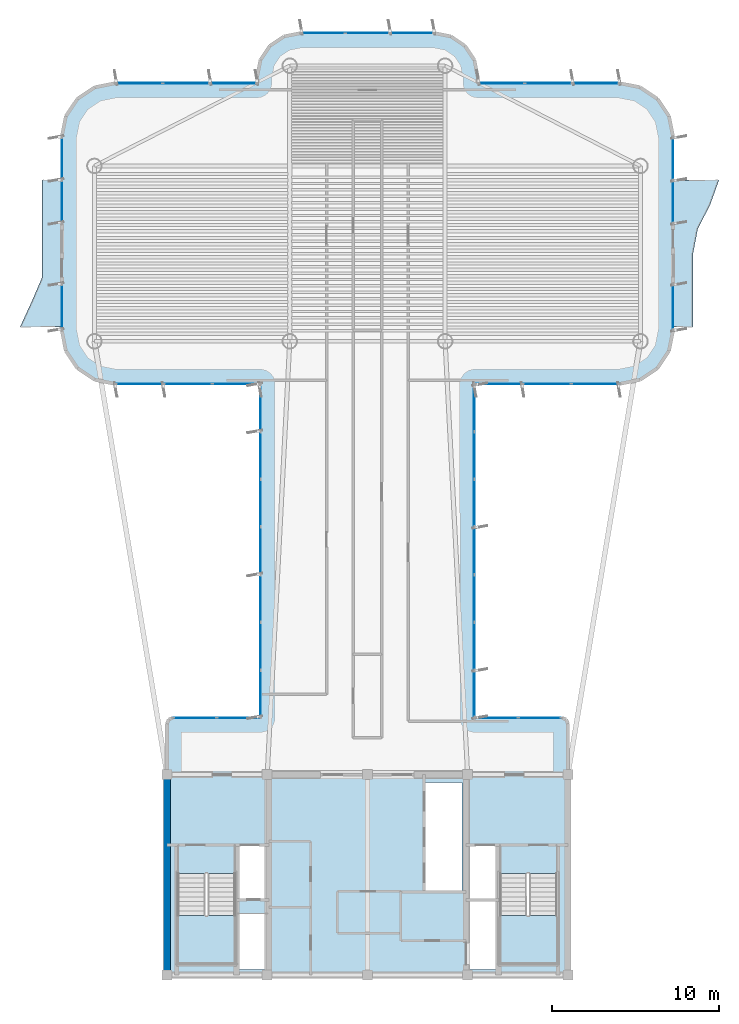
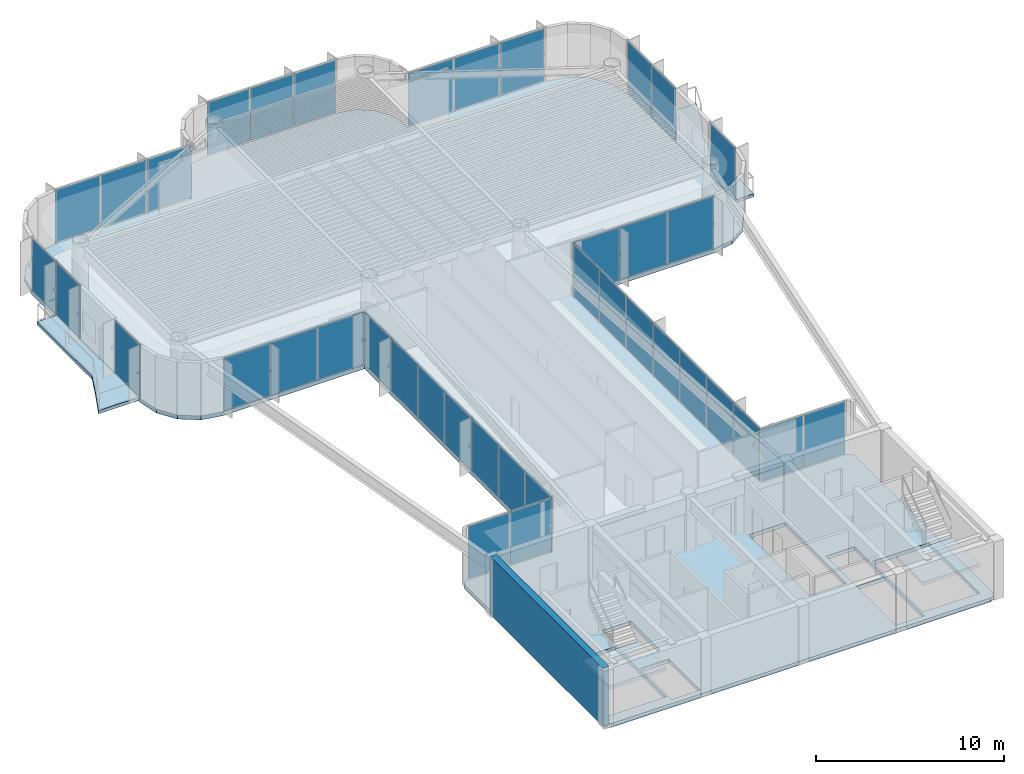
# One storey, part 9 of 14: 39 plates, 5 slabs, 1 wall, 15 elements without a shape of their own.
"""IFC4 building model written with IfcOpenShell, lengths in metres."""

from ifc_helpers import new_model, si_unit, direction, frame, frame_2d, origin, origin_2d, place, context, subcontext, project, spatial, polyline, rectangle, outline, extrude, source, transform, mapped, material, layer, layer_set, type_object, element, aggregate, save


model = new_model("IFC4")

# Units and contexts
model_context = context("Model", 3, precision=1e-05, world=origin(), true_north=direction((0.0, 1.0)))
body_context = subcontext(model_context, "Body", "Model", "MODEL_VIEW")
ifc_project = project(units=[si_unit("LENGTHUNIT", "METRE"), si_unit("AREAUNIT", "SQUARE_METRE"), si_unit("VOLUMEUNIT", "CUBIC_METRE"), si_unit("PLANEANGLEUNIT", "RADIAN"), si_unit("MASSUNIT", "GRAM", prefix="KILO")], contexts=[model_context])

# Site, building, storey
site_placement = place(None, origin())
site = spatial("IfcSite", under=ifc_project, at=site_placement, CompositionType="ELEMENT")
building_placement = place(site_placement, origin())
building = spatial("IfcBuilding", under=site, at=building_placement, Name="Brelvock Crest Care Tower", CompositionType="ELEMENT")
storey_placement = place(building_placement, frame((0.0, 0.0, 257.0400390625)))
storey = spatial("IfcBuildingStorey", under=building, at=storey_placement, Name="L65", CompositionType="ELEMENT", Elevation=257.0400390625)

# Slabs
ifc_material_1 = material(Name="Concrete N50 (50 MPa)", Category="concrete")
ifc_layer_1 = layer(ifc_material_1, 0.22998046875, Name="SLB-FL4")
ifc_layer_set_1 = layer_set([ifc_layer_1], Name="Concrete N50 (50 MPa)")
slab_type_1 = type_object("IfcSlabType", Name="SLB-FL4", PredefinedType="FLOOR", material=ifc_layer_set_1)
slab_1_placement = place(storey_placement, frame((0.0, 0.0, -0.25)))
element("IfcSlab", 1, at=slab_1_placement, inside=storey, type_object=slab_type_1, Name="L65 Main Structural Slab", PredefinedType="FLOOR", context=body_context, shape_type="SweptSolid", body=[
    extrude(outline(polyline([(47.64990234375, 21.39990234375), (42.39990234375, 21.39990234375), (42.39990234375, 41.39990234375), (51.10009765625, 41.39990234375), (52.32470703125, 41.6435546875), (53.36279296875, 42.33740234375), (54.056396484375, 43.37548828125), (54.300048828125, 44.60009765625), (54.300048828125, 56.199951171875), (54.056396484375, 57.424560546875), (53.36279296875, 58.462646484375), (52.32470703125, 59.156494140625), (51.10009765625, 59.39990234375), (42.60009765625, 59.39990234375), (42.60009765625, 59.800048828125), (42.402099609375, 60.794921875), (41.83837890625, 61.638427734375), (40.9951171875, 62.2021484375), (40.0, 62.39990234375), (32.0, 62.39990234375), (31.0048828125, 62.2021484375), (30.16162109375, 61.638427734375), (29.597900390625, 60.794921875), (29.39990234375, 59.800048828125), (29.39990234375, 59.39990234375), (20.89990234375, 59.39990234375), (19.67529296875, 59.156494140625), (18.63720703125, 58.462646484375), (17.943603515625, 57.424560546875), (17.699951171875, 56.199951171875), (17.699951171875, 44.60009765625), (17.943603515625, 43.37548828125), (18.63720703125, 42.33740234375), (19.67529296875, 41.6435546875), (20.89990234375, 41.39990234375), (29.60009765625, 41.39990234375), (29.60009765625, 21.39990234375), (24.35009765625, 21.39990234375), (24.1025390625, 21.297607421875), (24.0, 21.050048828125), (24.0, 6.35009765625), (24.1025390625, 6.1025390625), (24.35009765625, 6.0), (47.64990234375, 6.0), (47.8974609375, 6.1025390625), (48.0, 6.35009765625), (48.0, 21.050048828125), (47.8974609375, 21.297607421875), (47.64990234375, 21.39990234375)]), holes=[polyline([(28.239990234375, 10.580078125), (29.97998046875, 10.580078125), (29.97998046875, 13.739990234375), (28.239990234375, 13.739990234375), (28.239990234375, 10.580078125)]), polyline([(42.02001953125, 10.580078125), (43.760009765625, 10.580078125), (43.760009765625, 13.739990234375), (42.02001953125, 13.739990234375), (42.02001953125, 10.580078125)]), polyline([(28.239990234375, 6.340087890625), (29.97998046875, 6.340087890625), (29.97998046875, 9.64990234375), (28.239990234375, 9.64990234375), (28.239990234375, 6.340087890625)]), polyline([(24.6298828125, 12.080078125), (24.6298828125, 6.699951171875), (28.110107421875, 6.699951171875), (28.110107421875, 12.080078125), (24.6298828125, 12.080078125)]), polyline([(43.889892578125, 12.080078125), (43.889892578125, 6.699951171875), (47.3701171875, 6.699951171875), (47.3701171875, 12.080078125), (43.889892578125, 12.080078125)]), polyline([(42.02001953125, 6.340087890625), (43.760009765625, 6.340087890625), (43.760009765625, 10.5), (42.02001953125, 10.5), (42.02001953125, 6.340087890625)]), polyline([(39.429931640625, 11.030029296875), (41.669921875, 11.030029296875), (41.669921875, 17.52001953125), (39.429931640625, 17.52001953125), (39.429931640625, 11.030029296875)])]), origin(), (0.0, 0.0, 1.0), 0.25),
])
ifc_layer_2 = layer(ifc_material_1, 0.199951171875, Name="SLB-WB2")
ifc_layer_set_2 = layer_set([ifc_layer_2], Name="Concrete N50 (50 MPa)")
slab_type_2 = type_object("IfcSlabType", Name="SLB-WB2", PredefinedType="FLOOR", material=ifc_layer_set_2)
slab_2_placement = place(storey_placement, frame((0.0, 0.0, -0.199951171875)))
element("IfcSlab", 2, at=slab_2_placement, inside=storey, type_object=slab_type_2, Name="L65 W Sinusoidal Wave Balcony Slab", PredefinedType="FLOOR", context=body_context, shape_type="SweptSolid", body=[
    extrude(outline(polyline([(17.699951171875, 53.60009765625), (16.5, 53.60009765625), (16.5, 52.13330078125), (16.5, 50.666748046875), (16.5, 49.199951171875), (16.5, 47.7333984375), (15.869384765625, 46.2666015625), (15.1953125, 44.800048828125), (17.699951171875, 44.800048828125), (17.699951171875, 53.60009765625)])), origin(), (0.0, 0.0, 1.0), 0.199951171875),
])
slab_3_placement = place(storey_placement, frame((0.0, 0.0, -0.199951171875)))
element("IfcSlab", 3, at=slab_3_placement, inside=storey, type_object=slab_type_2, Name="L65 E Sinusoidal Wave Balcony Slab", PredefinedType="FLOOR", context=body_context, shape_type="SweptSolid", body=[
    extrude(outline(polyline([(54.300048828125, 44.800048828125), (55.5, 44.800048828125), (55.5, 46.2666015625), (55.5, 47.7333984375), (55.5, 49.199951171875), (55.779296875, 50.666748046875), (56.52490234375, 52.13330078125), (57.052978515625, 53.60009765625), (54.300048828125, 53.60009765625), (54.300048828125, 44.800048828125)])), origin(), (0.0, 0.0, 1.0), 0.199951171875),
])

# Stair, slab
ifc_material_2 = material(Name="Concrete N40 (40 MPa)", Category="concrete")
stair_type = type_object("IfcStairType", Name="ST-CORE1", PredefinedType="HALF_TURN_STAIR", material=ifc_material_2)
stair_1_placement = place(storey_placement, origin())
stair_1 = element("IfcStair", 4, at=stair_1_placement, inside=storey, type_object=stair_type, Name="L65 Fire-Isolated Core Stair ST-1", PredefinedType="HALF_TURN_STAIR")
ifc_layer_3 = layer(ifc_material_2, 0.199951171875, Name="STL-1")
ifc_layer_set_3 = layer_set([ifc_layer_3], Name="Concrete N40 (40 MPa)")
slab_type_3 = type_object("IfcSlabType", Name="STL-1", PredefinedType="LANDING", material=ifc_layer_set_3)
slab_4_placement = place(storey_placement, frame((0.0, 0.0, 1.68994140625)))
slab_4 = element("IfcSlab", 5, at=slab_4_placement, type_object=slab_type_3, Name="ST-1 landing 1", PredefinedType="LANDING", context=body_context, shape_type="SweptSolid", body=[
    extrude(outline(polyline([(24.6298828125, 9.56005859375), (24.6298828125, 6.699951171875), (28.110107421875, 6.699951171875), (28.110107421875, 9.56005859375), (24.6298828125, 9.56005859375)])), origin(), (0.0, 0.0, 1.0), 0.199951171875),
])
aggregate(stair_1, [slab_4])

stair_2_placement = place(storey_placement, origin())
stair_2 = element("IfcStair", 6, at=stair_2_placement, inside=storey, type_object=stair_type, Name="L65 Fire-Isolated Core Stair ST-2", PredefinedType="HALF_TURN_STAIR")
slab_5_placement = place(storey_placement, frame((0.0, 0.0, 1.68994140625)))
slab_5 = element("IfcSlab", 7, at=slab_5_placement, type_object=slab_type_3, Name="ST-2 landing 1", PredefinedType="LANDING", context=body_context, shape_type="SweptSolid", body=[
    extrude(outline(polyline([(43.889892578125, 9.56005859375), (43.889892578125, 6.699951171875), (47.3701171875, 6.699951171875), (47.3701171875, 9.56005859375), (43.889892578125, 9.56005859375)])), origin(), (0.0, 0.0, 1.0), 0.199951171875),
])
aggregate(stair_2, [slab_5])

# Curtain wall, plates
ifc_material_3 = material(Name="Dark Glass Double Glazed Low-E", Category="glass")
ifc_layer_4 = layer(ifc_material_3, 0.239990234375, Name="CWS-5")
ifc_layer_set_4 = layer_set([ifc_layer_4], Name="Dark Glass Double Glazed Low-E")
curtain_wall_type = type_object("IfcCurtainWallType", Name="CWS-5", PredefinedType="NOTDEFINED", material=ifc_layer_set_4)
curtain_wall_1_placement = place(storey_placement, origin())
curtain_wall_1 = element("IfcCurtainWall", 8, at=curtain_wall_1_placement, inside=storey, type_object=curtain_wall_type, Name="L65 Curtain Wall E10", PredefinedType="NOTDEFINED")
ifc_layer_5 = layer(ifc_material_3, 0.0380859375, Name="CWP-V2")
ifc_layer_set_5 = layer_set([ifc_layer_5], Name="Dark Glass Double Glazed Low-E")
plate_type = type_object("IfcPlateType", Name="CWP-V2", PredefinedType="CURTAIN_PANEL", material=ifc_layer_set_5)
shared_shape_1 = source(origin(), body_context, "Body", "SweptSolid", [
    extrude(rectangle(XDim=2.534912109375, YDim=0.035888671875, at=origin_2d()), origin(), (0.0, 0.0, 1.0), 3.409912109375),
])
plate_1_placement = place(storey_placement, frame((25.677490234375, 21.39990234375, 0.06005859375), z_axis=(0.0, 0.0, 1.0), x_axis=(1.0, 0.0, 0.0)))
plate_1 = element("IfcPlate", 9, at=plate_1_placement, type_object=plate_type, Name="CW-5 panel 1.1", PredefinedType="CURTAIN_PANEL", context=body_context, shape_type="MappedRepresentation", body=[
    mapped(shared_shape_1, transform((0.0, 0.0, 0.0), x_axis=(1.0, 0.0, 0.0), y_axis=(0.0, 1.0, 0.0), z_axis=(0.0, 0.0, 1.0), scale=1.0)),
])
plate_2_placement = place(storey_placement, frame((28.2724609375, 21.39990234375, 0.06005859375), z_axis=(0.0, 0.0, 1.0), x_axis=(1.0, 0.0, 0.0)))
plate_2 = element("IfcPlate", 10, at=plate_2_placement, type_object=plate_type, Name="CW-5 panel 2.1", PredefinedType="CURTAIN_PANEL", context=body_context, shape_type="MappedRepresentation", body=[
    mapped(shared_shape_1, transform((0.0, 0.0, 0.0), x_axis=(1.0, 0.0, 0.0), y_axis=(0.0, 1.0, 0.0), z_axis=(0.0, 0.0, 1.0), scale=1.0)),
])
aggregate(curtain_wall_1, [plate_1, plate_2])

curtain_wall_2_placement = place(storey_placement, origin())
curtain_wall_2 = element("IfcCurtainWall", 11, at=curtain_wall_2_placement, inside=storey, type_object=curtain_wall_type, Name="L65 Curtain Wall E46", PredefinedType="NOTDEFINED")
plate_3_placement = place(storey_placement, frame((43.7275390625, 21.39990234375, 0.06005859375), z_axis=(0.0, 0.0, 1.0), x_axis=(1.0, 0.0, 0.0)))
plate_3 = element("IfcPlate", 12, at=plate_3_placement, type_object=plate_type, Name="CW-5 panel 1.1", PredefinedType="CURTAIN_PANEL", context=body_context, shape_type="MappedRepresentation", body=[
    mapped(shared_shape_1, transform((0.0, 0.0, 0.0), x_axis=(1.0, 0.0, 0.0), y_axis=(0.0, 1.0, 0.0), z_axis=(0.0, 0.0, 1.0), scale=1.0)),
])
plate_4_placement = place(storey_placement, frame((46.322509765625, 21.39990234375, 0.06005859375), z_axis=(0.0, 0.0, 1.0), x_axis=(1.0, 0.0, 0.0)))
plate_4 = element("IfcPlate", 13, at=plate_4_placement, type_object=plate_type, Name="CW-5 panel 2.1", PredefinedType="CURTAIN_PANEL", context=body_context, shape_type="MappedRepresentation", body=[
    mapped(shared_shape_1, transform((0.0, 0.0, 0.0), x_axis=(1.0, 0.0, 0.0), y_axis=(0.0, 1.0, 0.0), z_axis=(0.0, 0.0, 1.0), scale=1.0)),
])
aggregate(curtain_wall_2, [plate_3, plate_4])

curtain_wall_3_placement = place(storey_placement, origin())
curtain_wall_3 = element("IfcCurtainWall", 14, at=curtain_wall_3_placement, inside=storey, type_object=curtain_wall_type, Name="L65 Curtain Wall E17B", PredefinedType="NOTDEFINED")
shared_shape_2 = source(origin(), body_context, "Body", "SweptSolid", [
    extrude(rectangle(XDim=2.510009765625, YDim=0.035888671875, at=origin_2d()), origin(), (0.0, 0.0, 1.0), 3.409912109375),
])
plate_5_placement = place(storey_placement, frame((17.699951171875, 52.31494140625, 0.06005859375), z_axis=(0.0, 0.0, 1.0), x_axis=(0.0, 1.0, 0.0)))
plate_5 = element("IfcPlate", 15, at=plate_5_placement, type_object=plate_type, Name="CW-5 panel 1.1", PredefinedType="CURTAIN_PANEL", context=body_context, shape_type="MappedRepresentation", body=[
    mapped(shared_shape_2, transform((0.0, 0.0, 0.0), x_axis=(1.0, 0.0, 0.0), y_axis=(0.0, 1.0, 0.0), z_axis=(0.0, 0.0, 1.0), scale=1.0)),
])
plate_6_placement = place(storey_placement, frame((17.699951171875, 54.885009765625, 0.06005859375), z_axis=(0.0, 0.0, 1.0), x_axis=(0.0, 1.0, 0.0)))
plate_6 = element("IfcPlate", 16, at=plate_6_placement, type_object=plate_type, Name="CW-5 panel 2.1", PredefinedType="CURTAIN_PANEL", context=body_context, shape_type="MappedRepresentation", body=[
    mapped(shared_shape_2, transform((0.0, 0.0, 0.0), x_axis=(1.0, 0.0, 0.0), y_axis=(0.0, 1.0, 0.0), z_axis=(0.0, 0.0, 1.0), scale=1.0)),
])
aggregate(curtain_wall_3, [plate_5, plate_6])

curtain_wall_4_placement = place(storey_placement, origin())
curtain_wall_4 = element("IfcCurtainWall", 17, at=curtain_wall_4_placement, inside=storey, type_object=curtain_wall_type, Name="L65 Curtain Wall E39A", PredefinedType="NOTDEFINED")
plate_7_placement = place(storey_placement, frame((54.300048828125, 54.885009765625, 0.06005859375), z_axis=(0.0, 0.0, 1.0), x_axis=(0.0, -1.0, 0.0)))
plate_7 = element("IfcPlate", 18, at=plate_7_placement, type_object=plate_type, Name="CW-5 panel 1.1", PredefinedType="CURTAIN_PANEL", context=body_context, shape_type="MappedRepresentation", body=[
    mapped(shared_shape_2, transform((0.0, 0.0, 0.0), x_axis=(1.0, 0.0, 0.0), y_axis=(0.0, 1.0, 0.0), z_axis=(0.0, 0.0, 1.0), scale=1.0)),
])
plate_8_placement = place(storey_placement, frame((54.300048828125, 52.31494140625, 0.06005859375), z_axis=(0.0, 0.0, 1.0), x_axis=(0.0, -1.0, 0.0)))
plate_8 = element("IfcPlate", 19, at=plate_8_placement, type_object=plate_type, Name="CW-5 panel 2.1", PredefinedType="CURTAIN_PANEL", context=body_context, shape_type="MappedRepresentation", body=[
    mapped(shared_shape_2, transform((0.0, 0.0, 0.0), x_axis=(1.0, 0.0, 0.0), y_axis=(0.0, 1.0, 0.0), z_axis=(0.0, 0.0, 1.0), scale=1.0)),
])
aggregate(curtain_wall_4, [plate_7, plate_8])

curtain_wall_5_placement = place(storey_placement, origin())
curtain_wall_5 = element("IfcCurtainWall", 20, at=curtain_wall_5_placement, inside=storey, type_object=curtain_wall_type, Name="L65 Curtain Wall E11", PredefinedType="NOTDEFINED")
shared_shape_3 = source(origin(), body_context, "Body", "SweptSolid", [
    extrude(rectangle(XDim=2.76708984375, YDim=0.035888671875, at=origin_2d()), origin(), (0.0, 0.0, 1.0), 3.409912109375),
])
plate_9_placement = place(storey_placement, frame((29.60009765625, 22.843505859375, 0.06005859375), z_axis=(0.0, 0.0, 1.0), x_axis=(0.0, 1.0, 0.0)))
plate_9 = element("IfcPlate", 21, at=plate_9_placement, type_object=plate_type, Name="CW-5 panel 1.1", PredefinedType="CURTAIN_PANEL", context=body_context, shape_type="MappedRepresentation", body=[
    mapped(shared_shape_3, transform((0.0, 0.0, 0.0), x_axis=(1.0, 0.0, 0.0), y_axis=(0.0, 1.0, 0.0), z_axis=(0.0, 0.0, 1.0), scale=1.0)),
])
plate_10_placement = place(storey_placement, frame((29.60009765625, 39.95654296875, 0.06005859375), z_axis=(0.0, 0.0, 1.0), x_axis=(0.0, 1.0, 0.0)))
plate_10 = element("IfcPlate", 22, at=plate_10_placement, type_object=plate_type, Name="CW-5 panel 7.1", PredefinedType="CURTAIN_PANEL", context=body_context, shape_type="MappedRepresentation", body=[
    mapped(shared_shape_3, transform((0.0, 0.0, 0.0), x_axis=(1.0, 0.0, 0.0), y_axis=(0.0, 1.0, 0.0), z_axis=(0.0, 0.0, 1.0), scale=1.0)),
])

curtain_wall_6_placement = place(storey_placement, origin())
curtain_wall_6 = element("IfcCurtainWall", 23, at=curtain_wall_6_placement, inside=storey, type_object=curtain_wall_type, Name="L65 Curtain Wall E45", PredefinedType="NOTDEFINED")
plate_11_placement = place(storey_placement, frame((42.39990234375, 39.95654296875, 0.06005859375), z_axis=(0.0, 0.0, 1.0), x_axis=(0.0, -1.0, 0.0)))
plate_11 = element("IfcPlate", 24, at=plate_11_placement, type_object=plate_type, Name="CW-5 panel 1.1", PredefinedType="CURTAIN_PANEL", context=body_context, shape_type="MappedRepresentation", body=[
    mapped(shared_shape_3, transform((0.0, 0.0, 0.0), x_axis=(1.0, 0.0, 0.0), y_axis=(0.0, 1.0, 0.0), z_axis=(0.0, 0.0, 1.0), scale=1.0)),
])
plate_12_placement = place(storey_placement, frame((42.39990234375, 22.843505859375, 0.06005859375), z_axis=(0.0, 0.0, 1.0), x_axis=(0.0, -1.0, 0.0)))
plate_12 = element("IfcPlate", 25, at=plate_12_placement, type_object=plate_type, Name="CW-5 panel 7.1", PredefinedType="CURTAIN_PANEL", context=body_context, shape_type="MappedRepresentation", body=[
    mapped(shared_shape_3, transform((0.0, 0.0, 0.0), x_axis=(1.0, 0.0, 0.0), y_axis=(0.0, 1.0, 0.0), z_axis=(0.0, 0.0, 1.0), scale=1.0)),
])

# Plate
shared_shape_4 = source(origin(), body_context, "Body", "SweptSolid", [
    extrude(rectangle(XDim=2.797119140625, YDim=0.035888671875, at=origin_2d()), origin(), (0.0, 0.0, 1.0), 3.409912109375),
])
plate_13_placement = place(storey_placement, frame((29.60009765625, 25.685791015625, 0.06005859375), z_axis=(0.0, 0.0, 1.0), x_axis=(0.0, 1.0, 0.0)))
plate_13 = element("IfcPlate", 26, at=plate_13_placement, type_object=plate_type, Name="CW-5 panel 2.1", PredefinedType="CURTAIN_PANEL", context=body_context, shape_type="MappedRepresentation", body=[
    mapped(shared_shape_4, transform((0.0, 0.0, 0.0), x_axis=(1.0, 0.0, 0.0), y_axis=(0.0, 1.0, 0.0), z_axis=(0.0, 0.0, 1.0), scale=1.0)),
])

plate_14_placement = place(storey_placement, frame((29.60009765625, 28.54296875, 0.06005859375), z_axis=(0.0, 0.0, 1.0), x_axis=(0.0, 1.0, 0.0)))
plate_14 = element("IfcPlate", 27, at=plate_14_placement, type_object=plate_type, Name="CW-5 panel 3.1", PredefinedType="CURTAIN_PANEL", context=body_context, shape_type="MappedRepresentation", body=[
    mapped(shared_shape_4, transform((0.0, 0.0, 0.0), x_axis=(1.0, 0.0, 0.0), y_axis=(0.0, 1.0, 0.0), z_axis=(0.0, 0.0, 1.0), scale=1.0)),
])

plate_15_placement = place(storey_placement, frame((29.60009765625, 31.39990234375, 0.06005859375), z_axis=(0.0, 0.0, 1.0), x_axis=(0.0, 1.0, 0.0)))
plate_15 = element("IfcPlate", 28, at=plate_15_placement, type_object=plate_type, Name="CW-5 panel 4.1", PredefinedType="CURTAIN_PANEL", context=body_context, shape_type="MappedRepresentation", body=[
    mapped(shared_shape_4, transform((0.0, 0.0, 0.0), x_axis=(1.0, 0.0, 0.0), y_axis=(0.0, 1.0, 0.0), z_axis=(0.0, 0.0, 1.0), scale=1.0)),
])

plate_16_placement = place(storey_placement, frame((29.60009765625, 34.257080078125, 0.06005859375), z_axis=(0.0, 0.0, 1.0), x_axis=(0.0, 1.0, 0.0)))
plate_16 = element("IfcPlate", 29, at=plate_16_placement, type_object=plate_type, Name="CW-5 panel 5.1", PredefinedType="CURTAIN_PANEL", context=body_context, shape_type="MappedRepresentation", body=[
    mapped(shared_shape_4, transform((0.0, 0.0, 0.0), x_axis=(1.0, 0.0, 0.0), y_axis=(0.0, 1.0, 0.0), z_axis=(0.0, 0.0, 1.0), scale=1.0)),
])

plate_17_placement = place(storey_placement, frame((29.60009765625, 37.1142578125, 0.06005859375), z_axis=(0.0, 0.0, 1.0), x_axis=(0.0, 1.0, 0.0)))
plate_17 = element("IfcPlate", 30, at=plate_17_placement, type_object=plate_type, Name="CW-5 panel 6.1", PredefinedType="CURTAIN_PANEL", context=body_context, shape_type="MappedRepresentation", body=[
    mapped(shared_shape_4, transform((0.0, 0.0, 0.0), x_axis=(1.0, 0.0, 0.0), y_axis=(0.0, 1.0, 0.0), z_axis=(0.0, 0.0, 1.0), scale=1.0)),
])

aggregate(curtain_wall_5, [plate_9, plate_13, plate_14, plate_15, plate_16, plate_17, plate_10])

plate_18_placement = place(storey_placement, frame((42.39990234375, 37.1142578125, 0.06005859375), z_axis=(0.0, 0.0, 1.0), x_axis=(0.0, -1.0, 0.0)))
plate_18 = element("IfcPlate", 31, at=plate_18_placement, type_object=plate_type, Name="CW-5 panel 2.1", PredefinedType="CURTAIN_PANEL", context=body_context, shape_type="MappedRepresentation", body=[
    mapped(shared_shape_4, transform((0.0, 0.0, 0.0), x_axis=(1.0, 0.0, 0.0), y_axis=(0.0, 1.0, 0.0), z_axis=(0.0, 0.0, 1.0), scale=1.0)),
])

plate_19_placement = place(storey_placement, frame((42.39990234375, 34.257080078125, 0.06005859375), z_axis=(0.0, 0.0, 1.0), x_axis=(0.0, -1.0, 0.0)))
plate_19 = element("IfcPlate", 32, at=plate_19_placement, type_object=plate_type, Name="CW-5 panel 3.1", PredefinedType="CURTAIN_PANEL", context=body_context, shape_type="MappedRepresentation", body=[
    mapped(shared_shape_4, transform((0.0, 0.0, 0.0), x_axis=(1.0, 0.0, 0.0), y_axis=(0.0, 1.0, 0.0), z_axis=(0.0, 0.0, 1.0), scale=1.0)),
])

plate_20_placement = place(storey_placement, frame((42.39990234375, 31.39990234375, 0.06005859375), z_axis=(0.0, 0.0, 1.0), x_axis=(0.0, -1.0, 0.0)))
plate_20 = element("IfcPlate", 33, at=plate_20_placement, type_object=plate_type, Name="CW-5 panel 4.1", PredefinedType="CURTAIN_PANEL", context=body_context, shape_type="MappedRepresentation", body=[
    mapped(shared_shape_4, transform((0.0, 0.0, 0.0), x_axis=(1.0, 0.0, 0.0), y_axis=(0.0, 1.0, 0.0), z_axis=(0.0, 0.0, 1.0), scale=1.0)),
])

plate_21_placement = place(storey_placement, frame((42.39990234375, 28.54296875, 0.06005859375), z_axis=(0.0, 0.0, 1.0), x_axis=(0.0, -1.0, 0.0)))
plate_21 = element("IfcPlate", 34, at=plate_21_placement, type_object=plate_type, Name="CW-5 panel 5.1", PredefinedType="CURTAIN_PANEL", context=body_context, shape_type="MappedRepresentation", body=[
    mapped(shared_shape_4, transform((0.0, 0.0, 0.0), x_axis=(1.0, 0.0, 0.0), y_axis=(0.0, 1.0, 0.0), z_axis=(0.0, 0.0, 1.0), scale=1.0)),
])

plate_22_placement = place(storey_placement, frame((42.39990234375, 25.685791015625, 0.06005859375), z_axis=(0.0, 0.0, 1.0), x_axis=(0.0, -1.0, 0.0)))
plate_22 = element("IfcPlate", 35, at=plate_22_placement, type_object=plate_type, Name="CW-5 panel 6.1", PredefinedType="CURTAIN_PANEL", context=body_context, shape_type="MappedRepresentation", body=[
    mapped(shared_shape_4, transform((0.0, 0.0, 0.0), x_axis=(1.0, 0.0, 0.0), y_axis=(0.0, 1.0, 0.0), z_axis=(0.0, 0.0, 1.0), scale=1.0)),
])

aggregate(curtain_wall_6, [plate_11, plate_18, plate_19, plate_20, plate_21, plate_22, plate_12])

# Curtain wall, plates
curtain_wall_7_placement = place(storey_placement, origin())
curtain_wall_7 = element("IfcCurtainWall", 36, at=curtain_wall_7_placement, inside=storey, type_object=curtain_wall_type, Name="L65 Curtain Wall E12", PredefinedType="NOTDEFINED")
shared_shape_5 = source(origin(), body_context, "Body", "SweptSolid", [
    extrude(rectangle(XDim=2.81005859375, YDim=0.035888671875, at=origin_2d()), origin(), (0.0, 0.0, 1.0), 3.409912109375),
])
plate_23_placement = place(storey_placement, frame((28.135009765625, 41.39990234375, 0.06005859375), z_axis=(0.0, 0.0, 1.0), x_axis=(-1.0, 0.0, 0.0)))
plate_23 = element("IfcPlate", 37, at=plate_23_placement, type_object=plate_type, Name="CW-5 panel 1.1", PredefinedType="CURTAIN_PANEL", context=body_context, shape_type="MappedRepresentation", body=[
    mapped(shared_shape_5, transform((0.0, 0.0, 0.0), x_axis=(1.0, 0.0, 0.0), y_axis=(0.0, 1.0, 0.0), z_axis=(0.0, 0.0, 1.0), scale=1.0)),
])
plate_24_placement = place(storey_placement, frame((22.364990234375, 41.39990234375, 0.06005859375), z_axis=(0.0, 0.0, 1.0), x_axis=(-1.0, 0.0, 0.0)))
plate_24 = element("IfcPlate", 38, at=plate_24_placement, type_object=plate_type, Name="CW-5 panel 3.1", PredefinedType="CURTAIN_PANEL", context=body_context, shape_type="MappedRepresentation", body=[
    mapped(shared_shape_5, transform((0.0, 0.0, 0.0), x_axis=(1.0, 0.0, 0.0), y_axis=(0.0, 1.0, 0.0), z_axis=(0.0, 0.0, 1.0), scale=1.0)),
])

curtain_wall_8_placement = place(storey_placement, origin())
curtain_wall_8 = element("IfcCurtainWall", 39, at=curtain_wall_8_placement, inside=storey, type_object=curtain_wall_type, Name="L65 Curtain Wall E44", PredefinedType="NOTDEFINED")
plate_25_placement = place(storey_placement, frame((49.635009765625, 41.39990234375, 0.06005859375), z_axis=(0.0, 0.0, 1.0), x_axis=(-1.0, 0.0, 0.0)))
plate_25 = element("IfcPlate", 40, at=plate_25_placement, type_object=plate_type, Name="CW-5 panel 1.1", PredefinedType="CURTAIN_PANEL", context=body_context, shape_type="MappedRepresentation", body=[
    mapped(shared_shape_5, transform((0.0, 0.0, 0.0), x_axis=(1.0, 0.0, 0.0), y_axis=(0.0, 1.0, 0.0), z_axis=(0.0, 0.0, 1.0), scale=1.0)),
])
plate_26_placement = place(storey_placement, frame((43.864990234375, 41.39990234375, 0.06005859375), z_axis=(0.0, 0.0, 1.0), x_axis=(-1.0, 0.0, 0.0)))
plate_26 = element("IfcPlate", 41, at=plate_26_placement, type_object=plate_type, Name="CW-5 panel 3.1", PredefinedType="CURTAIN_PANEL", context=body_context, shape_type="MappedRepresentation", body=[
    mapped(shared_shape_5, transform((0.0, 0.0, 0.0), x_axis=(1.0, 0.0, 0.0), y_axis=(0.0, 1.0, 0.0), z_axis=(0.0, 0.0, 1.0), scale=1.0)),
])

# Plate
shared_shape_6 = source(origin(), body_context, "Body", "SweptSolid", [
    extrude(rectangle(XDim=2.840087890625, YDim=0.035888671875, at=origin_2d()), origin(), (0.0, 0.0, 1.0), 3.409912109375),
])
plate_27_placement = place(storey_placement, frame((25.25, 41.39990234375, 0.06005859375), z_axis=(0.0, 0.0, 1.0), x_axis=(-1.0, 0.0, 0.0)))
plate_27 = element("IfcPlate", 42, at=plate_27_placement, type_object=plate_type, Name="CW-5 panel 2.1", PredefinedType="CURTAIN_PANEL", context=body_context, shape_type="MappedRepresentation", body=[
    mapped(shared_shape_6, transform((0.0, 0.0, 0.0), x_axis=(1.0, 0.0, 0.0), y_axis=(0.0, 1.0, 0.0), z_axis=(0.0, 0.0, 1.0), scale=1.0)),
])

aggregate(curtain_wall_7, [plate_23, plate_27, plate_24])

plate_28_placement = place(storey_placement, frame((46.75, 41.39990234375, 0.06005859375), z_axis=(0.0, 0.0, 1.0), x_axis=(-1.0, 0.0, 0.0)))
plate_28 = element("IfcPlate", 43, at=plate_28_placement, type_object=plate_type, Name="CW-5 panel 2.1", PredefinedType="CURTAIN_PANEL", context=body_context, shape_type="MappedRepresentation", body=[
    mapped(shared_shape_6, transform((0.0, 0.0, 0.0), x_axis=(1.0, 0.0, 0.0), y_axis=(0.0, 1.0, 0.0), z_axis=(0.0, 0.0, 1.0), scale=1.0)),
])

aggregate(curtain_wall_8, [plate_25, plate_28, plate_26])

# Curtain wall, plates
curtain_wall_9_placement = place(storey_placement, origin())
curtain_wall_9 = element("IfcCurtainWall", 44, at=curtain_wall_9_placement, inside=storey, type_object=curtain_wall_type, Name="L65 Curtain Wall E22", PredefinedType="NOTDEFINED")
shared_shape_7 = source(origin(), body_context, "Body", "SweptSolid", [
    extrude(rectangle(XDim=2.743408203125, YDim=0.035888671875, at=origin_2d()), origin(), (0.0, 0.0, 1.0), 3.409912109375),
])
plate_29_placement = place(storey_placement, frame((22.331787109375, 59.39990234375, 0.06005859375), z_axis=(0.0, 0.0, 1.0), x_axis=(1.0, 0.0, 0.0)))
plate_29 = element("IfcPlate", 45, at=plate_29_placement, type_object=plate_type, Name="CW-5 panel 1.1", PredefinedType="CURTAIN_PANEL", context=body_context, shape_type="MappedRepresentation", body=[
    mapped(shared_shape_7, transform((0.0, 0.0, 0.0), x_axis=(1.0, 0.0, 0.0), y_axis=(0.0, 1.0, 0.0), z_axis=(0.0, 0.0, 1.0), scale=1.0)),
])
plate_30_placement = place(storey_placement, frame((27.96826171875, 59.39990234375, 0.06005859375), z_axis=(0.0, 0.0, 1.0), x_axis=(1.0, 0.0, 0.0)))
plate_30 = element("IfcPlate", 46, at=plate_30_placement, type_object=plate_type, Name="CW-5 panel 3.1", PredefinedType="CURTAIN_PANEL", context=body_context, shape_type="MappedRepresentation", body=[
    mapped(shared_shape_7, transform((0.0, 0.0, 0.0), x_axis=(1.0, 0.0, 0.0), y_axis=(0.0, 1.0, 0.0), z_axis=(0.0, 0.0, 1.0), scale=1.0)),
])

curtain_wall_10_placement = place(storey_placement, origin())
curtain_wall_10 = element("IfcCurtainWall", 47, at=curtain_wall_10_placement, inside=storey, type_object=curtain_wall_type, Name="L65 Curtain Wall E34", PredefinedType="NOTDEFINED")
plate_31_placement = place(storey_placement, frame((44.03173828125, 59.39990234375, 0.06005859375), z_axis=(0.0, 0.0, 1.0), x_axis=(1.0, 0.0, 0.0)))
plate_31 = element("IfcPlate", 48, at=plate_31_placement, type_object=plate_type, Name="CW-5 panel 1.1", PredefinedType="CURTAIN_PANEL", context=body_context, shape_type="MappedRepresentation", body=[
    mapped(shared_shape_7, transform((0.0, 0.0, 0.0), x_axis=(1.0, 0.0, 0.0), y_axis=(0.0, 1.0, 0.0), z_axis=(0.0, 0.0, 1.0), scale=1.0)),
])
plate_32_placement = place(storey_placement, frame((49.668212890625, 59.39990234375, 0.06005859375), z_axis=(0.0, 0.0, 1.0), x_axis=(1.0, 0.0, 0.0)))
plate_32 = element("IfcPlate", 49, at=plate_32_placement, type_object=plate_type, Name="CW-5 panel 3.1", PredefinedType="CURTAIN_PANEL", context=body_context, shape_type="MappedRepresentation", body=[
    mapped(shared_shape_7, transform((0.0, 0.0, 0.0), x_axis=(1.0, 0.0, 0.0), y_axis=(0.0, 1.0, 0.0), z_axis=(0.0, 0.0, 1.0), scale=1.0)),
])

# Plate
shared_shape_8 = source(origin(), body_context, "Body", "SweptSolid", [
    extrude(rectangle(XDim=2.7734375, YDim=0.035888671875, at=origin_2d()), origin(), (0.0, 0.0, 1.0), 3.409912109375),
])
plate_33_placement = place(storey_placement, frame((25.14990234375, 59.39990234375, 0.06005859375), z_axis=(0.0, 0.0, 1.0), x_axis=(1.0, 0.0, 0.0)))
plate_33 = element("IfcPlate", 50, at=plate_33_placement, type_object=plate_type, Name="CW-5 panel 2.1", PredefinedType="CURTAIN_PANEL", context=body_context, shape_type="MappedRepresentation", body=[
    mapped(shared_shape_8, transform((0.0, 0.0, 0.0), x_axis=(1.0, 0.0, 0.0), y_axis=(0.0, 1.0, 0.0), z_axis=(0.0, 0.0, 1.0), scale=1.0)),
])

aggregate(curtain_wall_9, [plate_29, plate_33, plate_30])

plate_34_placement = place(storey_placement, frame((46.85009765625, 59.39990234375, 0.06005859375), z_axis=(0.0, 0.0, 1.0), x_axis=(1.0, 0.0, 0.0)))
plate_34 = element("IfcPlate", 51, at=plate_34_placement, type_object=plate_type, Name="CW-5 panel 2.1", PredefinedType="CURTAIN_PANEL", context=body_context, shape_type="MappedRepresentation", body=[
    mapped(shared_shape_8, transform((0.0, 0.0, 0.0), x_axis=(1.0, 0.0, 0.0), y_axis=(0.0, 1.0, 0.0), z_axis=(0.0, 0.0, 1.0), scale=1.0)),
])

aggregate(curtain_wall_10, [plate_31, plate_34, plate_32])

# Curtain wall, plates
curtain_wall_11_placement = place(storey_placement, origin())
curtain_wall_11 = element("IfcCurtainWall", 52, at=curtain_wall_11_placement, inside=storey, type_object=curtain_wall_type, Name="L65 Curtain Wall E28", PredefinedType="NOTDEFINED")
shared_shape_9 = source(origin(), body_context, "Body", "SweptSolid", [
    extrude(rectangle(XDim=2.57666015625, YDim=0.035888671875, at=origin_2d()), origin(), (0.0, 0.0, 1.0), 3.409912109375),
])
plate_35_placement = place(storey_placement, frame((33.348388671875, 62.39990234375, 0.06005859375), z_axis=(0.0, 0.0, 1.0), x_axis=(1.0, 0.0, 0.0)))
plate_35 = element("IfcPlate", 53, at=plate_35_placement, type_object=plate_type, Name="CW-5 panel 1.1", PredefinedType="CURTAIN_PANEL", context=body_context, shape_type="MappedRepresentation", body=[
    mapped(shared_shape_9, transform((0.0, 0.0, 0.0), x_axis=(1.0, 0.0, 0.0), y_axis=(0.0, 1.0, 0.0), z_axis=(0.0, 0.0, 1.0), scale=1.0)),
])
plate_36_placement = place(storey_placement, frame((38.651611328125, 62.39990234375, 0.06005859375), z_axis=(0.0, 0.0, 1.0), x_axis=(1.0, 0.0, 0.0)))
plate_36 = element("IfcPlate", 54, at=plate_36_placement, type_object=plate_type, Name="CW-5 panel 3.1", PredefinedType="CURTAIN_PANEL", context=body_context, shape_type="MappedRepresentation", body=[
    mapped(shared_shape_9, transform((0.0, 0.0, 0.0), x_axis=(1.0, 0.0, 0.0), y_axis=(0.0, 1.0, 0.0), z_axis=(0.0, 0.0, 1.0), scale=1.0)),
])
shared_shape_10 = source(origin(), body_context, "Body", "SweptSolid", [
    extrude(rectangle(XDim=2.606689453125, YDim=0.035888671875, at=origin_2d()), origin(), (0.0, 0.0, 1.0), 3.409912109375),
])
plate_37_placement = place(storey_placement, frame((36.0, 62.39990234375, 0.06005859375), z_axis=(0.0, 0.0, 1.0), x_axis=(1.0, 0.0, 0.0)))
plate_37 = element("IfcPlate", 55, at=plate_37_placement, type_object=plate_type, Name="CW-5 panel 2.1", PredefinedType="CURTAIN_PANEL", context=body_context, shape_type="MappedRepresentation", body=[
    mapped(shared_shape_10, transform((0.0, 0.0, 0.0), x_axis=(1.0, 0.0, 0.0), y_axis=(0.0, 1.0, 0.0), z_axis=(0.0, 0.0, 1.0), scale=1.0)),
])
aggregate(curtain_wall_11, [plate_35, plate_37, plate_36])

# Curtain wall, plate
curtain_wall_12_placement = place(storey_placement, origin())
curtain_wall_12 = element("IfcCurtainWall", 56, at=curtain_wall_12_placement, inside=storey, type_object=curtain_wall_type, Name="L65 Curtain Wall E17A", PredefinedType="NOTDEFINED")
shared_shape_11 = source(origin(), body_context, "Body", "SweptSolid", [
    extrude(rectangle(XDim=2.679931640625, YDim=0.035888671875, at=origin_2d()), origin(), (0.0, 0.0, 1.0), 3.409912109375),
])
plate_38_placement = place(storey_placement, frame((17.699951171875, 46.0, 0.06005859375), z_axis=(0.0, 0.0, 1.0), x_axis=(0.0, 1.0, 0.0)))
plate_38 = element("IfcPlate", 57, at=plate_38_placement, type_object=plate_type, Name="CW-5 panel 1.1", PredefinedType="CURTAIN_PANEL", context=body_context, shape_type="MappedRepresentation", body=[
    mapped(shared_shape_11, transform((0.0, 0.0, 0.0), x_axis=(1.0, 0.0, 0.0), y_axis=(0.0, 1.0, 0.0), z_axis=(0.0, 0.0, 1.0), scale=1.0)),
])
aggregate(curtain_wall_12, [plate_38])

curtain_wall_13_placement = place(storey_placement, origin())
curtain_wall_13 = element("IfcCurtainWall", 58, at=curtain_wall_13_placement, inside=storey, type_object=curtain_wall_type, Name="L65 Curtain Wall E39B", PredefinedType="NOTDEFINED")
plate_39_placement = place(storey_placement, frame((54.300048828125, 46.0, 0.06005859375), z_axis=(0.0, 0.0, 1.0), x_axis=(0.0, -1.0, 0.0)))
plate_39 = element("IfcPlate", 59, at=plate_39_placement, type_object=plate_type, Name="CW-5 panel 1.1", PredefinedType="CURTAIN_PANEL", context=body_context, shape_type="MappedRepresentation", body=[
    mapped(shared_shape_11, transform((0.0, 0.0, 0.0), x_axis=(1.0, 0.0, 0.0), y_axis=(0.0, 1.0, 0.0), z_axis=(0.0, 0.0, 1.0), scale=1.0)),
])
aggregate(curtain_wall_13, [plate_39])

# Wall
ifc_material_4 = material(Name="Concrete S65 (65 MPa)", Category="concrete")
ifc_layer_6 = layer(ifc_material_4, 0.39990234375, Name="WL-CS4")
ifc_layer_set_6 = layer_set([ifc_layer_6], Name="Concrete S65 (65 MPa)")
wall_type = type_object("IfcWallType", Name="WL-CS4", PredefinedType="SHEAR", material=ifc_layer_set_6)
wall_placement = place(storey_placement, frame((24.0, 6.0, 0.0), z_axis=(0.0, 0.0, 1.0), x_axis=(0.0, 1.0, 0.0)))
element("IfcWall", 60, at=wall_placement, inside=storey, type_object=wall_type, Name="L65 Core West Shear Wall", PredefinedType="SHEAR", context=body_context, shape_type="SweptSolid", body=[
    extrude(rectangle(XDim=12.0, YDim=0.39990234375, at=frame_2d((6.0, 0.0))), origin(), (0.0, 0.0, 1.0), 3.780029296875),
])

save(model, "model.ifc")
